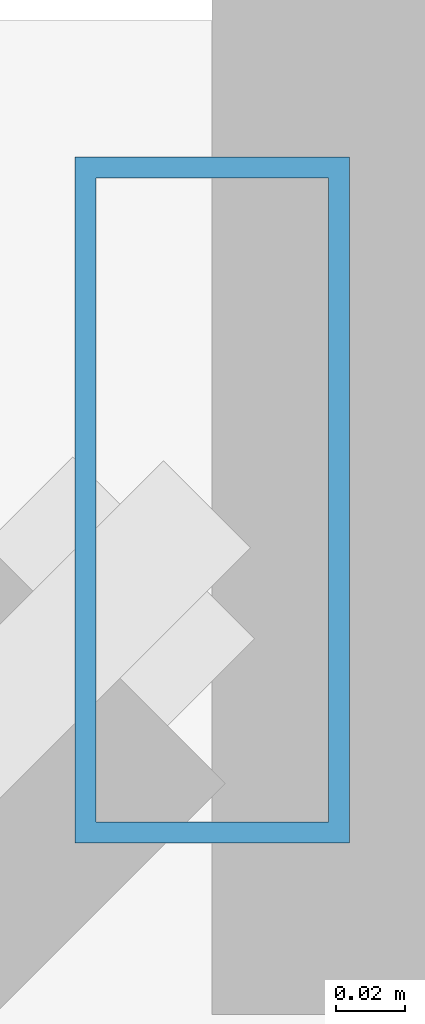
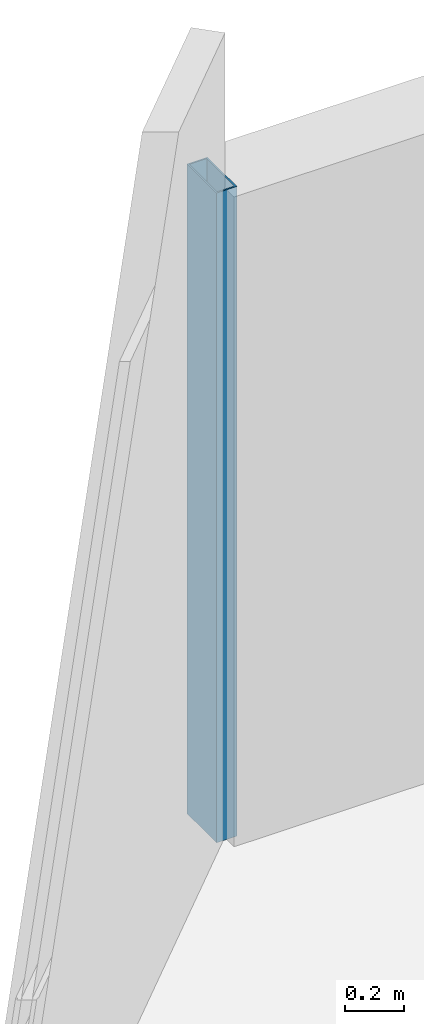
# One storey, part 16 of 32: 1 member, 1 element without a shape of its own.
"""IFC4 building model written with IfcOpenShell, lengths in metres."""

import ifcopenshell
import ifcopenshell.guid

model = None  # the IFC model being written
_history = None  # IfcOwnerHistory: only IFC2X3 demands one
_inside = {}  # id of a spatial element -> (the spatial element, [elements in it])
_under = {}  # id of a project, library or spatial element -> (it, [spatial elements below it])
_declared = {}  # id of a project -> (the project, [libraries it declares])
_typed = {}  # id of a type object -> (the type object, [elements of that type])
_made_of = {}  # id of a material, layer set ... -> (it, [elements and type objects made of it])


def new_model(schema):
    """Start an empty IFC model of exactly this schema.

    Asked for "IFC4X3", IfcOpenShell would pick the latest addendum, in which some entities
    have other attributes; the version numbers below select the first issue.
    IFC2X3 requires an IfcOwnerHistory on every rooted entity: one is made here for all.
    """
    global model, _history
    if schema == "IFC4X3":
        model = ifcopenshell.file(schema_version=(4, 3, 0, 0))
    else:
        model = ifcopenshell.file(schema=schema)
    _inside.clear()
    _under.clear()
    _declared.clear()
    _typed.clear()
    _made_of.clear()
    _history = None
    if model.schema == "IFC2X3":
        org = make("IfcOrganization", Name="unknown")
        user = make(
            "IfcPersonAndOrganization",
            ThePerson=make("IfcPerson", FamilyName="unknown"),
            TheOrganization=org,
        )
        app = make(
            "IfcApplication",
            ApplicationDeveloper=org,
            Version="unknown",
            ApplicationFullName="unknown",
            ApplicationIdentifier="unknown",
        )
        _history = make(
            "IfcOwnerHistory",
            OwningUser=user,
            OwningApplication=app,
            ChangeAction="ADDED",
            CreationDate=0,
        )
    return model


def make(cls, **values):
    """One entity of the class cls with the attributes given. An attribute that is None is left unset."""
    return model.create_entity(
        cls, **{name: value for name, value in values.items() if value is not None}
    )


def rooted(cls, **values):
    """An entity with a GlobalId (a new one), such as an element, a storey or a relation."""
    return make(cls, GlobalId=ifcopenshell.guid.new(), OwnerHistory=_history, **values)


def si_unit(unit_type, name, prefix=None):
    """IfcSIUnit, for example si_unit("LENGTHUNIT", "METRE", prefix="MILLI")."""
    return make("IfcSIUnit", UnitType=unit_type, Prefix=prefix, Name=name)


def assignment(units):
    """IfcUnitAssignment: the units of a project."""
    return None if units is None else make("IfcUnitAssignment", Units=units)


def point(xyz):
    """IfcCartesianPoint."""
    return None if xyz is None else make("IfcCartesianPoint", Coordinates=xyz)


def direction(xyz):
    """IfcDirection."""
    return None if xyz is None else make("IfcDirection", DirectionRatios=xyz)


def frame(location, z_axis=None, x_axis=None):
    """IfcAxis2Placement3D, a coordinate frame: its origin and axes. An axis left out is left unset."""
    return make(
        "IfcAxis2Placement3D",
        Location=point(location),
        Axis=direction(z_axis),
        RefDirection=direction(x_axis),
    )


def frame_2d(location, x_axis=None):
    """IfcAxis2Placement2D, a coordinate frame in the plane: its origin and x axis."""
    return make(
        "IfcAxis2Placement2D", Location=point(location), RefDirection=direction(x_axis)
    )


def origin():
    """The frame at (0, 0, 0) with its axes left unset."""
    return frame((0.0, 0.0, 0.0))


def origin_2d():
    """The frame at (0, 0) in the plane with its x axis left unset."""
    return frame_2d((0.0, 0.0))


def place(relative_to, where):
    """IfcLocalPlacement: puts the frame where relative to a parent placement (None: the world)."""
    return make(
        "IfcLocalPlacement", PlacementRelTo=relative_to, RelativePlacement=where
    )


def context(
    kind, dimensions, precision=None, world=None, true_north=None, identifier=None
):
    """IfcGeometricRepresentationContext, for example the 3D "Model" context."""
    return make(
        "IfcGeometricRepresentationContext",
        ContextIdentifier=identifier,
        ContextType=kind,
        CoordinateSpaceDimension=dimensions,
        Precision=precision,
        WorldCoordinateSystem=world,
        TrueNorth=true_north,
    )


def subcontext(parent, identifier, kind, view, scale=None):
    """IfcGeometricRepresentationSubContext, for example "Body" below "Model"."""
    return make(
        "IfcGeometricRepresentationSubContext",
        ContextIdentifier=identifier,
        ContextType=kind,
        ParentContext=parent,
        TargetScale=scale,
        TargetView=view,
    )


def project(units=None, contexts=None):
    """IfcProject with its units and contexts."""
    return rooted(
        "IfcProject",
        Name="project",
        RepresentationContexts=contexts,
        UnitsInContext=assignment(units),
    )


def spatial(cls, under=None, at=None, **own):
    """A site, building, storey or space (cls), placed at a placement, below another one or the project."""
    s = rooted(cls, ObjectPlacement=at, **own)
    if under is not None:
        _under.setdefault(under.id(), (under, []))[1].append(s)
    return s


def profile(cls, at=None, kind="AREA", **sizes):
    """A parametric profile (cls). Its sizes go by their IFC names, for example OverallWidth=200.0."""
    return make(cls, ProfileType=kind, Position=at, **sizes)


def hollow_rectangle(**sizes):
    """IfcRectangleHollowProfileDef."""
    return profile("IfcRectangleHollowProfileDef", **sizes)


def extrude(swept, where, along, depth):
    """IfcExtrudedAreaSolid: the profile swept, set in the frame where, extruded along a direction by depth."""
    return make(
        "IfcExtrudedAreaSolid",
        SweptArea=swept,
        Position=where,
        ExtrudedDirection=direction(along),
        Depth=depth,
    )


def shape(context_of_items, identifier, shape_type, items):
    """IfcShapeRepresentation: the items that make up one representation, for example the "Body"."""
    return make(
        "IfcShapeRepresentation",
        ContextOfItems=context_of_items,
        RepresentationIdentifier=identifier,
        RepresentationType=shape_type,
        Items=items,
    )


def material(Name=None, Category=None):
    """IfcMaterial."""
    return make("IfcMaterial", Name=Name, Category=Category)


def material_profile(
    of_material, cross_section, Name=None, Category=None, Priority=None
):
    """IfcMaterialProfile: a cross section and its material."""
    return make(
        "IfcMaterialProfile",
        Name=Name,
        Material=of_material,
        Profile=cross_section,
        Priority=Priority,
        Category=Category,
    )


def profile_set(profiles, Name=None, composite=None):
    """IfcMaterialProfileSet."""
    return make(
        "IfcMaterialProfileSet",
        Name=Name,
        MaterialProfiles=profiles,
        CompositeProfile=composite,
    )


def made_of(thing, what):
    """Note that an element or type object is made of a material, layer set ...; save() writes the relation."""
    if what is not None:
        _made_of.setdefault(what.id(), (what, []))[1].append(thing)
    return thing


def type_object(cls, material=None, **own):
    """A type object (cls), such as IfcWallType, which elements share."""
    return made_of(rooted(cls, **own), material)


def element(
    cls,
    number,
    at=None,
    inside=None,
    cuts=None,
    type_object=None,
    material=None,
    context=None,
    identifier="Body",
    shape_type=None,
    held_by="IfcProductDefinitionShape",
    body=None,
    shapes=None,
    **own,
):
    """One element of the class cls, such as IfcWall. Its Tag is "e" and its number.

    at: its placement. inside: the storey or other place that contains it. cuts: it is an
    opening in that element (IfcRelVoidsElement). A single representation is given by context,
    identifier, shape_type and body (its items); several are given by shapes. held_by: the class
    of the entity that holds the representations. save() writes the other relations.
    """
    e = rooted(cls, Tag="e%d" % number, ObjectPlacement=at, **own)
    if body is not None:
        shapes = [shape(context, identifier, shape_type, body)]
    if shapes is not None:
        e.Representation = make(held_by, Representations=shapes)
    if inside is not None:
        _inside.setdefault(inside.id(), (inside, []))[1].append(e)
    if cuts is not None:
        rooted(
            "IfcRelVoidsElement", RelatingBuildingElement=cuts, RelatedOpeningElement=e
        )
    if type_object is not None:
        _typed.setdefault(type_object.id(), (type_object, []))[1].append(e)
    return made_of(e, material)


def aggregate(whole, parts):
    """IfcRelAggregates: a whole, such as a stair, and the parts it consists of."""
    return rooted("IfcRelAggregates", RelatingObject=whole, RelatedObjects=parts)


def save(model, path):
    """Write the relations noted so far, then the file.

    IfcRelAggregates (storeys below a building ...), IfcRelContainedInSpatialStructure (elements
    in a storey), IfcRelDefinesByType, IfcRelAssociatesMaterial and IfcRelDeclares: one each for
    every whole, place, type object, material and project.
    """
    for whole, parts in _under.values():
        aggregate(whole, parts)
    for where, things in _inside.values():
        rooted(
            "IfcRelContainedInSpatialStructure",
            RelatedElements=things,
            RelatingStructure=where,
        )
    for kind, things in _typed.values():
        rooted("IfcRelDefinesByType", RelatedObjects=things, RelatingType=kind)
    for what, things in _made_of.values():
        rooted("IfcRelAssociatesMaterial", RelatedObjects=things, RelatingMaterial=what)
    for by, libraries in _declared.values():
        rooted("IfcRelDeclares", RelatingContext=by, RelatedDefinitions=libraries)
    model.write(path)


model = new_model("IFC4")

# Units and contexts
model_context = context("Model", 3, precision=1e-05, world=origin(), true_north=direction((0.0, 1.0)))
body_context = subcontext(model_context, "Body", "Model", "MODEL_VIEW")
ifc_project = project(units=[si_unit("LENGTHUNIT", "METRE"), si_unit("AREAUNIT", "SQUARE_METRE"), si_unit("VOLUMEUNIT", "CUBIC_METRE"), si_unit("PLANEANGLEUNIT", "RADIAN"), si_unit("MASSUNIT", "GRAM", prefix="KILO")], contexts=[model_context])

# Site, building, storey
site_placement = place(None, origin())
site = spatial("IfcSite", under=ifc_project, at=site_placement, CompositionType="ELEMENT")
building_placement = place(site_placement, origin())
building = spatial("IfcBuilding", under=site, at=building_placement, Name="Thornwick Lancets Civic Towers", CompositionType="ELEMENT")
storey_placement = place(building_placement, frame((0.0, 0.0, 152.699951171875)))
storey = spatial("IfcBuildingStorey", under=building, at=storey_placement, Name="L40", CompositionType="ELEMENT", Elevation=152.699951171875)

# Curtain wall, member
ifc_material_1 = material(Name="Mid-zone chamfered-corner unitised glass curtain wall", Category="glass")
curtain_wall_type = type_object("IfcCurtainWallType", Name="CW_SYS_04", PredefinedType="NOTDEFINED", material=ifc_material_1)
curtain_wall_placement = place(storey_placement, origin())
curtain_wall = element("IfcCurtainWall", 1, at=curtain_wall_placement, inside=storey, type_object=curtain_wall_type, Name="L40 Curtain Wall CW-L40-B-E5", PredefinedType="NOTDEFINED")
ifc_material_2 = material(Name="Thermally broken bronze aluminium S355", Category="steel")
ifc_material_profile = material_profile(ifc_material_2, hollow_rectangle(XDim=0.080078125, YDim=0.199951171875, WallThickness=0.006103515625, at=origin_2d()), Name="RHS 200x80x6")
ifc_profile_set = profile_set([ifc_material_profile], Name="Thermally broken bronze aluminium S355")
member_type = type_object("IfcMemberType", Name="CW_MUL_200", PredefinedType="MULLION", material=ifc_profile_set)
member_placement = place(storey_placement, frame((74.6982421875, 50.760009765625, 0.0), z_axis=(0.0, 0.0, 1.0), x_axis=(1.0, 0.0, 0.0)))
member = element("IfcMember", 2, at=member_placement, type_object=member_type, Name="CW-L40-B-E5 Mullion 0", PredefinedType="MULLION", context=body_context, shape_type="SweptSolid", body=[
    extrude(hollow_rectangle(XDim=0.080078125, YDim=0.199951171875, WallThickness=0.006103515625, at=origin_2d()), origin(), (0.0, 0.0, 1.0), 2.699951171875),
])
aggregate(curtain_wall, [member])

save(model, "model.ifc")
